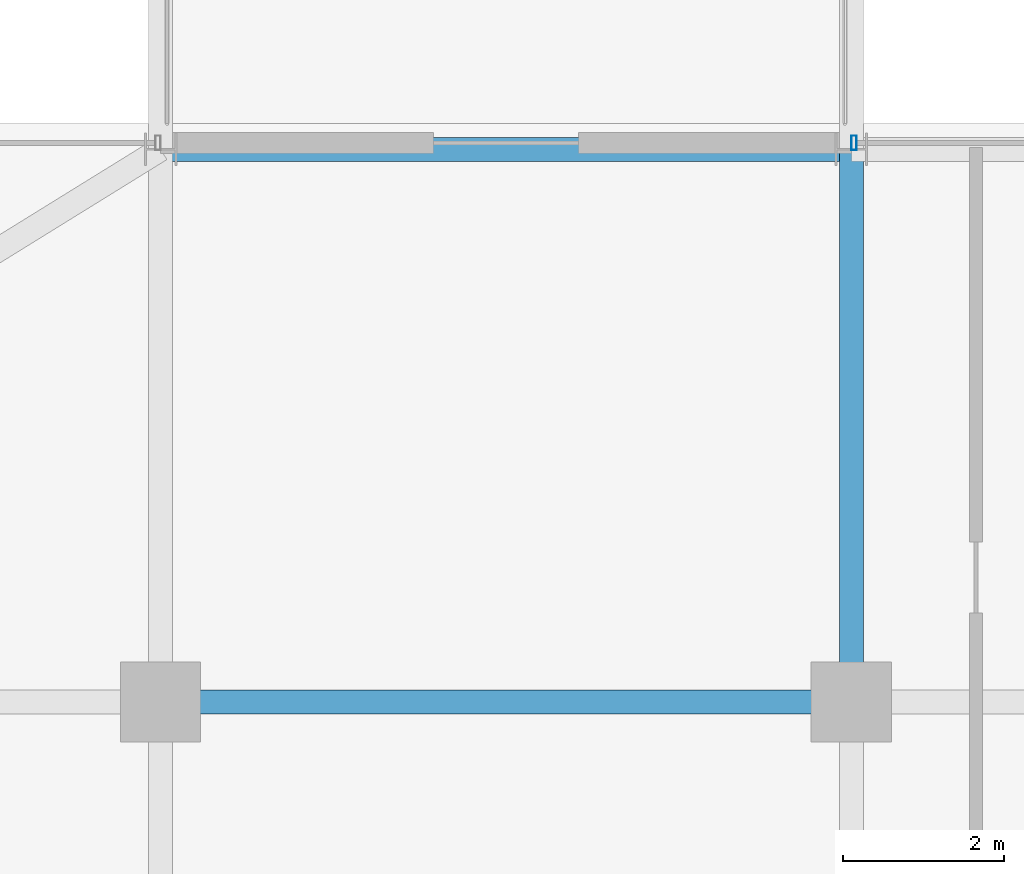
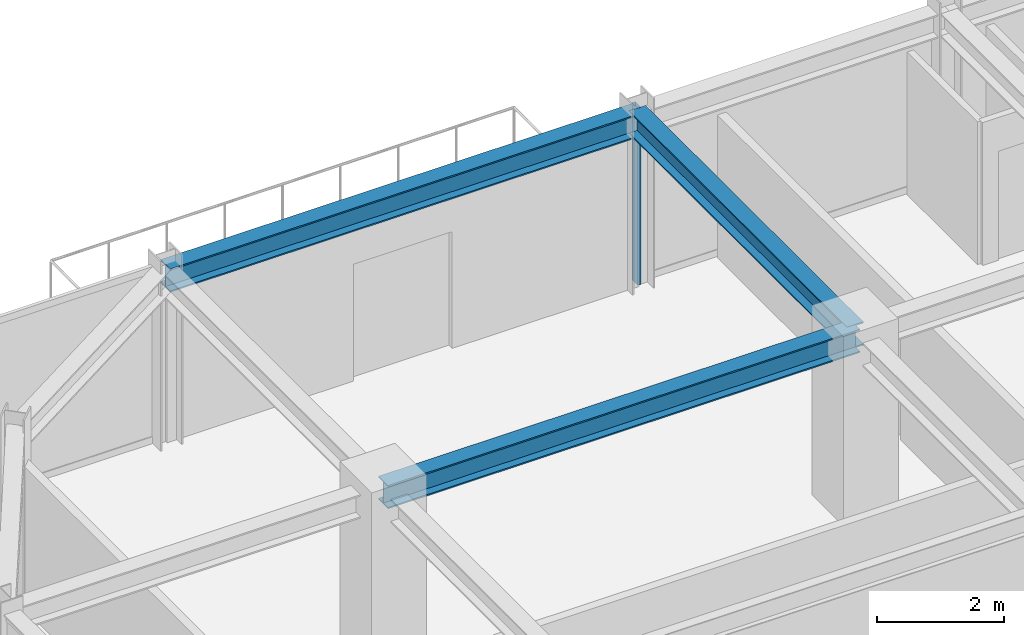
# One storey, part 21 of 36: 3 beams, 1 member, 1 element without a shape of its own.
"""IFC4 building model written with IfcOpenShell, lengths in metres."""

from ifc_helpers import new_model, si_unit, direction, frame, origin, origin_2d, place, context, subcontext, project, spatial, hollow_rectangle, i_section, extrude, source, transform, mapped, material, material_profile, profile_set, type_object, element, aggregate, save


model = new_model("IFC4")

# Units and contexts
model_context = context("Model", 3, precision=1e-05, world=origin(), true_north=direction((0.0, 1.0)))
body_context = subcontext(model_context, "Body", "Model", "MODEL_VIEW")
ifc_project = project(units=[si_unit("LENGTHUNIT", "METRE"), si_unit("AREAUNIT", "SQUARE_METRE"), si_unit("VOLUMEUNIT", "CUBIC_METRE"), si_unit("PLANEANGLEUNIT", "RADIAN"), si_unit("MASSUNIT", "GRAM", prefix="KILO")], contexts=[model_context])

# Site, building, storey
site_placement = place(None, origin())
site = spatial("IfcSite", under=ifc_project, at=site_placement, CompositionType="ELEMENT")
building_placement = place(site_placement, origin())
building = spatial("IfcBuilding", under=site, at=building_placement, Name="Nahalor Promenade Grand Hotel", CompositionType="ELEMENT")
storey_placement = place(building_placement, frame((0.0, 0.0, 219.699951171875)))
storey = spatial("IfcBuildingStorey", under=building, at=storey_placement, Name="L56", CompositionType="ELEMENT", Elevation=219.699951171875)

# Beams
ifc_material_1 = material(Name="Steel S355JR", Category="steel")
ifc_material_profile_1 = material_profile(ifc_material_1, i_section(OverallWidth=0.3, OverallDepth=0.45, WebThickness=0.014, FlangeThickness=0.026, at=origin_2d()), Name="HEB 450")
ifc_profile_set_1 = profile_set([ifc_material_profile_1], Name="Steel S355JR")
beam_type_1 = type_object("IfcBeamType", Name="Beam-Spandrel-HEB450", PredefinedType="SPANDREL", material=ifc_profile_set_1)
shared_shape_1 = source(origin(), body_context, "Body", "SweptSolid", [
    extrude(i_section(OverallWidth=0.3, OverallDepth=0.45, WebThickness=0.014, FlangeThickness=0.026, at=origin_2d()), origin(), (0.0, 0.0, 1.0), 8.60009765625),
])
beam_1_placement = place(storey_placement, frame((-17.0, 23.8798828125, 3.18505859375), z_axis=(1.0, 0.0, 0.0), x_axis=(0.0, 1.0, 0.0)))
element("IfcBeam", 1, at=beam_1_placement, inside=storey, type_object=beam_type_1, Name="BM-L56-SP-N-0", PredefinedType="SPANDREL", context=body_context, shape_type="MappedRepresentation", body=[
    mapped(shared_shape_1, transform((0.0, 0.0, 0.0), scale=1.0)),
])
ifc_material_profile_2 = material_profile(ifc_material_1, i_section(OverallWidth=0.3, OverallDepth=0.45, WebThickness=0.014, FlangeThickness=0.026, at=origin_2d()), Name="HEB 450")
ifc_profile_set_2 = profile_set([ifc_material_profile_2], Name="Steel S355JR")
beam_type_2 = type_object("IfcBeamType", Name="Beam-Girder-HEB450", PredefinedType="BEAM", material=ifc_profile_set_2)
shared_shape_2 = source(origin(), body_context, "Body", "SweptSolid", [
    extrude(i_section(OverallWidth=0.3, OverallDepth=0.45, WebThickness=0.014, FlangeThickness=0.026, at=origin_2d()), origin(), (0.0, 0.0, 1.0), 6.8798828125),
])
beam_2_placement = place(storey_placement, frame((-8.39990234375, 17.0, 3.18505859375), z_axis=(0.0, 1.0, 0.0), x_axis=(-1.0, 0.0, 0.0)))
element("IfcBeam", 2, at=beam_2_placement, inside=storey, type_object=beam_type_2, Name="BM-L56-GY-1-4", PredefinedType="BEAM", context=body_context, shape_type="MappedRepresentation", body=[
    mapped(shared_shape_2, transform((0.0, 0.0, 0.0), scale=1.0)),
])
shared_shape_3 = source(origin(), body_context, "Body", "SweptSolid", [
    extrude(i_section(OverallWidth=0.3, OverallDepth=0.45, WebThickness=0.014, FlangeThickness=0.026, at=origin_2d()), origin(), (0.0, 0.0, 1.0), 8.60009765625),
])
beam_3_placement = place(storey_placement, frame((-17.0, 17.0, 3.18505859375), z_axis=(1.0, 0.0, 0.0), x_axis=(0.0, 1.0, 0.0)))
element("IfcBeam", 3, at=beam_3_placement, inside=storey, type_object=beam_type_2, Name="BM-L56-GX-3-1", PredefinedType="BEAM", context=body_context, shape_type="MappedRepresentation", body=[
    mapped(shared_shape_3, transform((0.0, 0.0, 0.0), scale=1.0)),
])

# Curtain wall, member
ifc_material_2 = material(Name="Anodised Bronze Aluminium EN AW-6063 T6", Category="aluminium")
curtain_wall_type = type_object("IfcCurtainWallType", Name="CW2 Typical Hotel Flush Bronze Unitised Curtain Wall", PredefinedType="USERDEFINED", material=ifc_material_2)
curtain_wall_placement = place(storey_placement, origin())
curtain_wall = element("IfcCurtainWall", 4, at=curtain_wall_placement, inside=storey, type_object=curtain_wall_type, Name="L56 Curtain Wall CW-L56-N-3", ObjectType="UNITISED_CURTAIN_WALL", PredefinedType="USERDEFINED")
ifc_material_profile_3 = material_profile(ifc_material_2, hollow_rectangle(XDim=0.065, YDim=0.18, WallThickness=0.004, at=origin_2d()), Name="CWM 65x180x4")
ifc_profile_set_3 = profile_set([ifc_material_profile_3], Name="Anodised Bronze Aluminium EN AW-6063 T6")
member_type = type_object("IfcMemberType", Name="CWM2 Typical Bronze Mullion 65x180", PredefinedType="MULLION", material=ifc_profile_set_3)
shared_shape_4 = source(origin(), body_context, "Body", "SweptSolid", [
    extrude(hollow_rectangle(XDim=0.065, YDim=0.18, WallThickness=0.004, at=origin_2d()), origin(), (0.0, 0.0, 1.0), 3.41015625),
])
member_placement = place(storey_placement, frame((-8.367431640625, 23.9599609375, 0.0), z_axis=(0.0, 0.0, 1.0), x_axis=(1.0, 0.0, 0.0)))
member = element("IfcMember", 5, at=member_placement, type_object=member_type, Name="CW-L56-N-3 Mullion 0", PredefinedType="MULLION", context=body_context, shape_type="MappedRepresentation", body=[
    mapped(shared_shape_4, transform((0.0, 0.0, 0.0), scale=1.0)),
])
aggregate(curtain_wall, [member])

save(model, "model.ifc")
